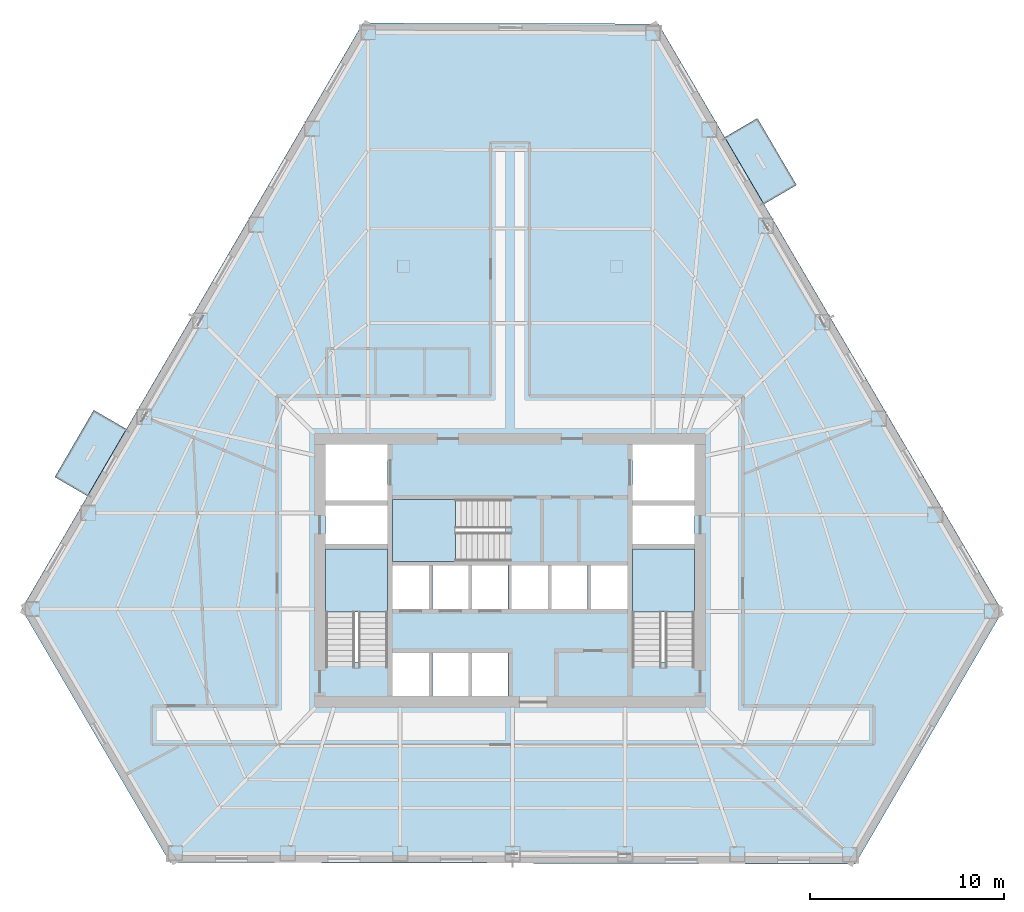
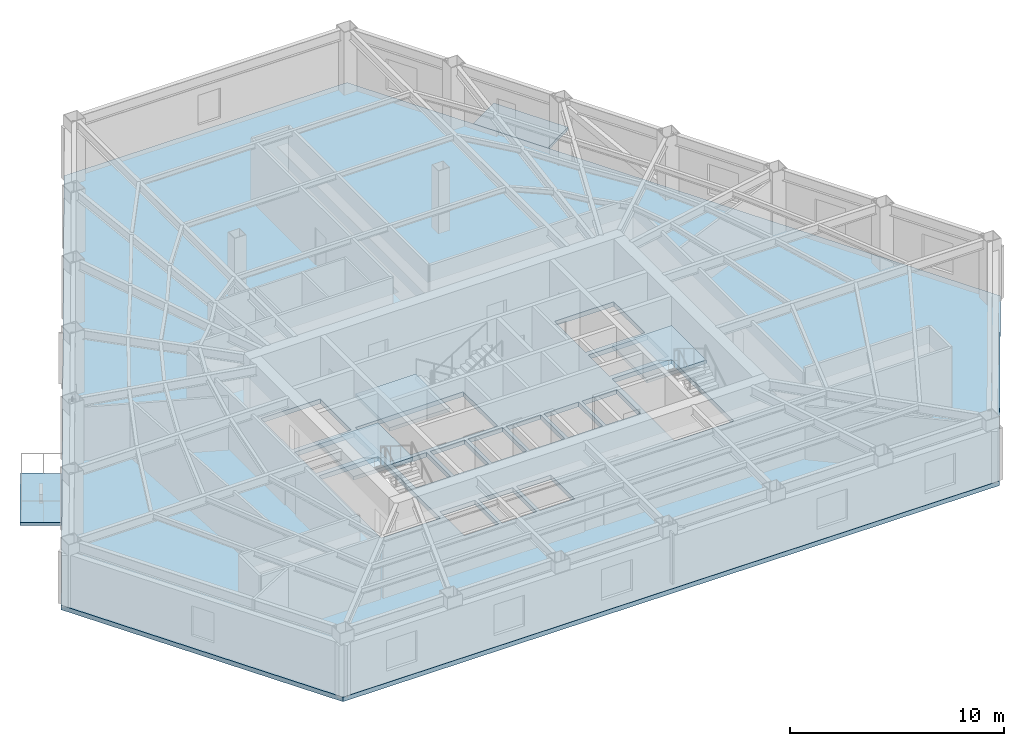
# One storey, part 3 of 11: 6 slabs, 3 elements without a shape of their own.
"""IFC4 building model written with IfcOpenShell, lengths in metres."""

from ifc_helpers import new_model, si_unit, direction, frame, origin, place, context, subcontext, project, spatial, polyline, outline, extrude, material, layer, layer_set, type_object, element, aggregate, save


model = new_model("IFC4")

# Units and contexts
model_context = context("Model", 3, precision=1e-05, world=origin(), true_north=direction((0.0, 1.0)))
body_context = subcontext(model_context, "Body", "Model", "MODEL_VIEW")
ifc_project = project(units=[si_unit("LENGTHUNIT", "METRE"), si_unit("AREAUNIT", "SQUARE_METRE"), si_unit("VOLUMEUNIT", "CUBIC_METRE"), si_unit("PLANEANGLEUNIT", "RADIAN"), si_unit("MASSUNIT", "GRAM", prefix="KILO")], contexts=[model_context])

# Site, building, storey
site_placement = place(None, origin())
site = spatial("IfcSite", under=ifc_project, at=site_placement, CompositionType="ELEMENT")
building_placement = place(site_placement, origin())
building = spatial("IfcBuilding", under=site, at=building_placement, Name="Kavelnor Concourse Tower", CompositionType="ELEMENT")
storey_placement = place(building_placement, frame((0.0, 0.0, 56.050048828125)))
storey = spatial("IfcBuildingStorey", under=building, at=storey_placement, Name="L14", CompositionType="ELEMENT", Elevation=56.050048828125)

# Slabs
ifc_material = material(Name="Concrete C40/50", Category="concrete")
ifc_layer_1 = layer(ifc_material, 0.169921875, Name="Concrete C40/50")
ifc_layer_set_1 = layer_set([ifc_layer_1], Name="Concrete C40/50")
slab_type_1 = type_object("IfcSlabType", Name="SLB-BALCONY-170", PredefinedType="FLOOR", material=ifc_layer_set_1)
slab_1_placement = place(storey_placement, frame((0.0, 0.0, -0.170166015625)))
element("IfcSlab", 1, at=slab_1_placement, inside=storey, type_object=slab_type_1, Name="L14 Cantilevered Tree Balcony Slab 1", PredefinedType="FLOOR", context=body_context, shape_type="SweptSolid", body=[
    extrude(outline(polyline([(50.770263671875, 39.438720703125), (52.79150390625, 35.987060546875), (51.108642578125, 35.001708984375), (49.08740234375, 38.453369140625), (50.770263671875, 39.438720703125)])), origin(), (0.0, 0.0, 1.0), 0.170166015625),
])
slab_2_placement = place(storey_placement, frame((0.0, 0.0, -0.170166015625)))
element("IfcSlab", 2, at=slab_2_placement, inside=storey, type_object=slab_type_1, Name="L14 Cantilevered Tree Balcony Slab 2", PredefinedType="FLOOR", context=body_context, shape_type="SweptSolid", body=[
    extrude(outline(polyline([(14.501708984375, 20.915771484375), (16.5146484375, 24.372314453125), (18.19970703125, 23.390869140625), (16.1865234375, 19.934326171875), (14.501708984375, 20.915771484375)])), origin(), (0.0, 0.0, 1.0), 0.170166015625),
])

# Stair, slab
stair_type = type_object("IfcStairType", Name="STR-CORE-1500", PredefinedType="HALF_TURN_STAIR", material=ifc_material)
stair_1_placement = place(storey_placement, origin())
stair_1 = element("IfcStair", 3, at=stair_1_placement, inside=storey, type_object=stair_type, Name="L14 ST1", PredefinedType="HALF_TURN_STAIR")
ifc_layer_2 = layer(ifc_material, 0.199951171875, Name="Concrete C40/50")
ifc_layer_set_2 = layer_set([ifc_layer_2], Name="Concrete C40/50")
slab_type_2 = type_object("IfcSlabType", Name="SLB-LANDING-200", PredefinedType="LANDING", material=ifc_layer_set_2)
slab_3_placement = place(storey_placement, frame((0.0, 0.0, 1.724853515625)))
slab_3 = element("IfcSlab", 4, at=slab_3_placement, type_object=slab_type_2, Name="ST1 landing 1", PredefinedType="LANDING", context=body_context, shape_type="SweptSolid", body=[
    extrude(outline(polyline([(31.679931640625, 13.949951171875), (31.679931640625, 17.199951171875), (28.47998046875, 17.199951171875), (28.47998046875, 13.949951171875), (31.679931640625, 13.949951171875)])), origin(), (0.0, 0.0, 1.0), 0.2001953125),
])
aggregate(stair_1, [slab_3])

stair_2_placement = place(storey_placement, origin())
stair_2 = element("IfcStair", 5, at=stair_2_placement, inside=storey, type_object=stair_type, Name="L14 ST2", PredefinedType="HALF_TURN_STAIR")
slab_4_placement = place(storey_placement, frame((0.0, 0.0, 1.724853515625)))
slab_4 = element("IfcSlab", 6, at=slab_4_placement, type_object=slab_type_2, Name="ST2 landing 1", PredefinedType="LANDING", context=body_context, shape_type="SweptSolid", body=[
    extrude(outline(polyline([(47.52001953125, 13.949951171875), (47.52001953125, 17.199951171875), (44.320068359375, 17.199951171875), (44.320068359375, 13.949951171875), (47.52001953125, 13.949951171875)])), origin(), (0.0, 0.0, 1.0), 0.2001953125),
])
aggregate(stair_2, [slab_4])

stair_3_placement = place(storey_placement, origin())
stair_3 = element("IfcStair", 7, at=stair_3_placement, inside=storey, type_object=stair_type, Name="L14 ST3", PredefinedType="HALF_TURN_STAIR")
slab_5_placement = place(storey_placement, frame((0.0, 0.0, 1.724853515625)))
slab_5 = element("IfcSlab", 8, at=slab_5_placement, type_object=slab_type_2, Name="ST3 landing 1", PredefinedType="LANDING", context=body_context, shape_type="SweptSolid", body=[
    extrude(outline(polyline([(35.18994140625, 19.760009765625), (31.93994140625, 19.760009765625), (31.93994140625, 16.56005859375), (35.18994140625, 16.56005859375), (35.18994140625, 19.760009765625)])), origin(), (0.0, 0.0, 1.0), 0.2001953125),
])
aggregate(stair_3, [slab_5])

# Slab
ifc_layer_3 = layer(ifc_material, 0.260009765625, Name="Concrete C40/50")
ifc_layer_set_3 = layer_set([ifc_layer_3], Name="Concrete C40/50")
slab_type_3 = type_object("IfcSlabType", Name="SLB-OFFICE-260", PredefinedType="FLOOR", material=ifc_layer_set_3)
slab_6_placement = place(storey_placement, frame((0.0, 0.0, -0.260009765625)))
element("IfcSlab", 9, at=slab_6_placement, inside=storey, type_object=slab_type_3, Name="L14 Composite Structural Floor Slab", PredefinedType="FLOOR", context=body_context, shape_type="SweptSolid", body=[
    extrude(outline(polyline([(45.658447265625, 44.30908203125), (30.40380859375, 44.34521484375), (12.78955078125, 14.101806640625), (20.447998046875, 1.023193359375), (55.82080078125, 0.939697265625), (63.4169921875, 13.982421875), (45.658447265625, 44.30908203125)]), holes=[polyline([(28.47998046875, 11.3798828125), (31.679931640625, 11.3798828125), (31.679931640625, 17.199951171875), (28.47998046875, 17.199951171875), (28.47998046875, 11.3798828125)]), polyline([(44.320068359375, 11.3798828125), (47.52001953125, 11.3798828125), (47.52001953125, 17.199951171875), (44.320068359375, 17.199951171875), (44.320068359375, 11.3798828125)]), polyline([(31.93994140625, 16.56005859375), (37.760009765625, 16.56005859375), (37.760009765625, 19.760009765625), (31.93994140625, 19.760009765625), (31.93994140625, 16.56005859375)]), polyline([(28.47998046875, 19.699951171875), (31.679931640625, 19.699951171875), (31.679931640625, 22.60009765625), (28.47998046875, 22.60009765625), (28.47998046875, 19.699951171875)]), polyline([(44.320068359375, 19.699951171875), (47.52001953125, 19.699951171875), (47.52001953125, 22.60009765625), (44.320068359375, 22.60009765625), (44.320068359375, 19.699951171875)]), polyline([(31.93994140625, 14.10009765625), (33.81005859375, 14.10009765625), (33.81005859375, 16.340087890625), (31.93994140625, 16.340087890625), (31.93994140625, 14.10009765625)]), polyline([(33.989990234375, 14.10009765625), (35.860107421875, 14.10009765625), (35.860107421875, 16.340087890625), (33.989990234375, 16.340087890625), (33.989990234375, 14.10009765625)]), polyline([(36.0400390625, 14.10009765625), (37.909912109375, 14.10009765625), (37.909912109375, 16.340087890625), (36.0400390625, 16.340087890625), (36.0400390625, 14.10009765625)]), polyline([(38.090087890625, 14.10009765625), (39.9599609375, 14.10009765625), (39.9599609375, 16.340087890625), (38.090087890625, 16.340087890625), (38.090087890625, 14.10009765625)]), polyline([(40.139892578125, 14.10009765625), (42.010009765625, 14.10009765625), (42.010009765625, 16.340087890625), (40.139892578125, 16.340087890625), (40.139892578125, 14.10009765625)]), polyline([(42.18994140625, 14.10009765625), (44.06005859375, 14.10009765625), (44.06005859375, 16.340087890625), (42.18994140625, 16.340087890625), (42.18994140625, 14.10009765625)]), polyline([(31.93994140625, 9.60009765625), (33.81005859375, 9.60009765625), (33.81005859375, 11.840087890625), (31.93994140625, 11.840087890625), (31.93994140625, 9.60009765625)]), polyline([(33.989990234375, 9.60009765625), (35.860107421875, 9.60009765625), (35.860107421875, 11.840087890625), (33.989990234375, 11.840087890625), (33.989990234375, 9.60009765625)]), polyline([(36.0400390625, 9.60009765625), (37.909912109375, 9.60009765625), (37.909912109375, 11.840087890625), (36.0400390625, 11.840087890625), (36.0400390625, 9.60009765625)]), polyline([(28.47998046875, 17.4599609375), (31.679931640625, 17.4599609375), (31.679931640625, 19.43994140625), (28.47998046875, 19.43994140625), (28.47998046875, 17.4599609375)]), polyline([(44.320068359375, 17.4599609375), (47.52001953125, 17.4599609375), (47.52001953125, 19.43994140625), (44.320068359375, 19.43994140625), (44.320068359375, 17.4599609375)])]), origin(), (0.0, 0.0, 1.0), 0.260009765625),
])

save(model, "model.ifc")
